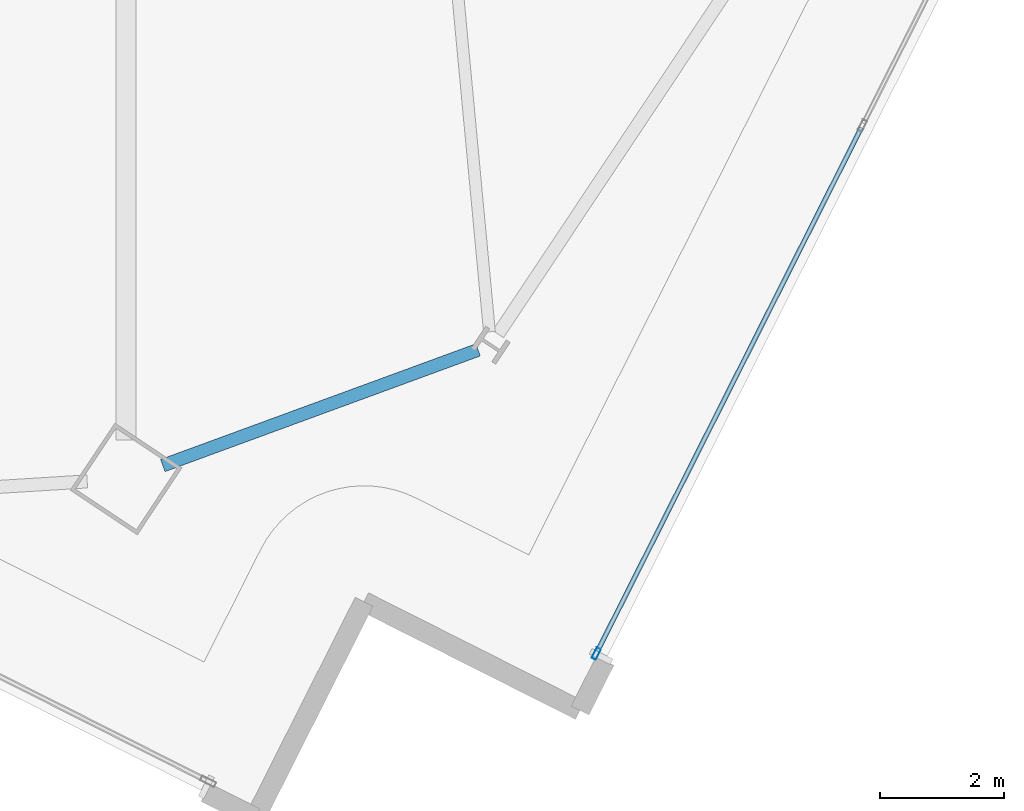
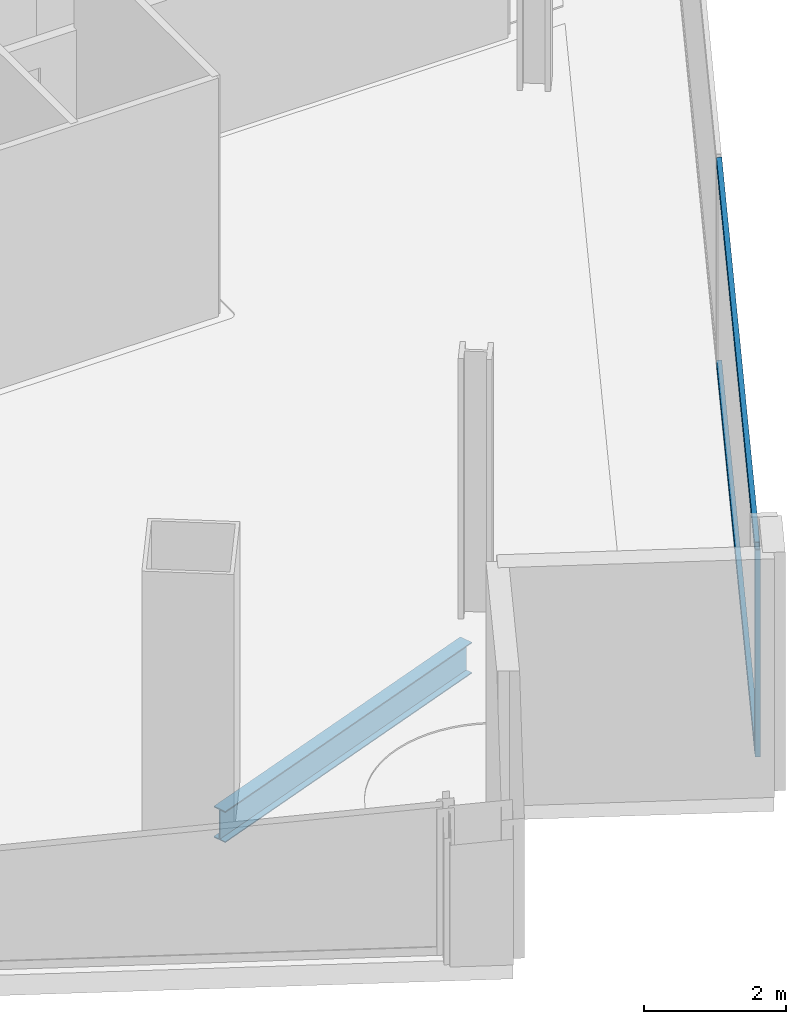
# One storey, part 8 of 27: 3 members, 1 beam, 1 element without a shape of its own.
"""IFC4 building model written with IfcOpenShell, lengths in metres."""

from ifc_helpers import new_model, si_unit, direction, frame, origin, origin_2d, place, context, subcontext, project, spatial, hollow_rectangle, i_section, extrude, material, material_profile, profile_set, type_object, element, aggregate, save


model = new_model("IFC4")

# Units and contexts
model_context = context("Model", 3, precision=1e-05, world=origin(), true_north=direction((0.0, 1.0)))
body_context = subcontext(model_context, "Body", "Model", "MODEL_VIEW")
ifc_project = project(units=[si_unit("LENGTHUNIT", "METRE"), si_unit("AREAUNIT", "SQUARE_METRE"), si_unit("VOLUMEUNIT", "CUBIC_METRE"), si_unit("PLANEANGLEUNIT", "RADIAN"), si_unit("MASSUNIT", "GRAM", prefix="KILO")], contexts=[model_context])

# Site, building, storey
site_placement = place(None, origin())
site = spatial("IfcSite", under=ifc_project, at=site_placement, CompositionType="ELEMENT")
building_placement = place(site_placement, origin())
building = spatial("IfcBuilding", under=site, at=building_placement, Name="Haldenkirk Collegiate Tower", CompositionType="ELEMENT")
storey_placement = place(building_placement, frame((0.0, 0.0, 239.699951171875)))
storey = spatial("IfcBuildingStorey", under=building, at=storey_placement, Name="L60", CompositionType="ELEMENT", Elevation=239.699951171875)

# Beam
ifc_material_1 = material(Name="Steel ASTM A992 Grade 50", Category="steel")
ifc_material_profile_1 = material_profile(ifc_material_1, i_section(OverallWidth=0.2099609375, OverallDepth=0.537109375, WebThickness=0.010986328125, FlangeThickness=0.017333984375, at=origin_2d()), Name="W21X68")
ifc_profile_set_1 = profile_set([ifc_material_profile_1], Name="Steel ASTM A992 Grade 50")
beam_type = type_object("IfcBeamType", Name="BM-SPANDREL-W21X68", PredefinedType="SPANDREL", material=ifc_profile_set_1)
beam_placement = place(storey_placement, frame((41.07421875, 1.5498046875, -0.618408203125), z_axis=(0.938836975249, 0.344361922843, 0.0), x_axis=(-0.344361922843, 0.938836975249, 0.0)))
element("IfcBeam", 1, at=beam_placement, inside=storey, type_object=beam_type, Name="L60 perimeter spandrel beam 01", PredefinedType="SPANDREL", context=body_context, shape_type="SweptSolid", body=[
    extrude(i_section(OverallWidth=0.2099609375, OverallDepth=0.537109375, WebThickness=0.010986328125, FlangeThickness=0.017333984375, at=origin_2d()), origin(), (0.0, 0.0, 1.0), 5.41650390625),
])

# Curtain wall, members
ifc_material_2 = material(Name="Anodised architectural bronze aluminium", Category="aluminium")
curtain_wall_type = type_object("IfcCurtainWallType", Name="CW-SYS2-CONCAVE", PredefinedType="USERDEFINED", material=ifc_material_2)
curtain_wall_placement = place(storey_placement, origin())
curtain_wall = element("IfcCurtainWall", 2, at=curtain_wall_placement, inside=storey, type_object=curtain_wall_type, Name="L60 South concave recessed bronze-anodised curtain wall", ObjectType="UNITISED CURTAIN WALL", PredefinedType="USERDEFINED")
ifc_material_profile_2 = material_profile(ifc_material_2, hollow_rectangle(XDim=0.074951171875, YDim=0.18994140625, WallThickness=0.0048828125, at=origin_2d()), Name="CW-MUL-02")
ifc_profile_set_2 = profile_set([ifc_material_profile_2], Name="Anodised architectural bronze aluminium")
member_type_1 = type_object("IfcMemberType", Name="CW-MUL-02", PredefinedType="MULLION", material=ifc_profile_set_2)
member_1_placement = place(storey_placement, frame((48.065673828125, -1.484619140625, 0.0), z_axis=(0.0, 0.0, 1.0), x_axis=(0.892979715279, -0.450096909675, 0.0)))
member_1 = element("IfcMember", 3, at=member_1_placement, type_object=member_type_1, Name="CW-02 mullion 5", PredefinedType="MULLION", context=body_context, shape_type="SweptSolid", body=[
    extrude(hollow_rectangle(XDim=0.074951171875, YDim=0.18994140625, WallThickness=0.0048828125, at=origin_2d()), origin(), (0.0, 0.0, 1.0), 3.55810546875),
])
ifc_material_profile_3 = material_profile(ifc_material_2, hollow_rectangle(XDim=0.074951171875, YDim=0.159912109375, WallThickness=0.0048828125, at=origin_2d()), Name="CW-TRN-02")
ifc_profile_set_3 = profile_set([ifc_material_profile_3], Name="Anodised architectural bronze aluminium")
member_type_2 = type_object("IfcMemberType", Name="CW-TRN-02", PredefinedType="USERDEFINED", material=ifc_profile_set_3)
member_2_placement = place(storey_placement, frame((52.341552734375, 6.998779296875, 0.03759765625), z_axis=(-0.450090619739, -0.892982885627, 0.0), x_axis=(0.892982885627, -0.450090619739, 0.0)))
member_2 = element("IfcMember", 4, at=member_2_placement, type_object=member_type_2, Name="CW-02 transom 4.1", ObjectType="TRANSOM", PredefinedType="USERDEFINED", context=body_context, shape_type="SweptSolid", body=[
    extrude(hollow_rectangle(XDim=0.074951171875, YDim=0.159912109375, WallThickness=0.0048828125, at=origin_2d()), origin(), (0.0, 0.0, 1.0), 9.462646484375),
])
member_3_placement = place(storey_placement, frame((52.341552734375, 6.998779296875, 3.5205078125), z_axis=(-0.450090619739, -0.892982885627, 0.0), x_axis=(0.892982885627, -0.450090619739, 0.0)))
member_3 = element("IfcMember", 5, at=member_3_placement, type_object=member_type_2, Name="CW-02 transom 4.2", ObjectType="TRANSOM", PredefinedType="USERDEFINED", context=body_context, shape_type="SweptSolid", body=[
    extrude(hollow_rectangle(XDim=0.074951171875, YDim=0.159912109375, WallThickness=0.0048828125, at=origin_2d()), origin(), (0.0, 0.0, 1.0), 9.462646484375),
])
aggregate(curtain_wall, [member_1, member_2, member_3])

save(model, "model.ifc")
